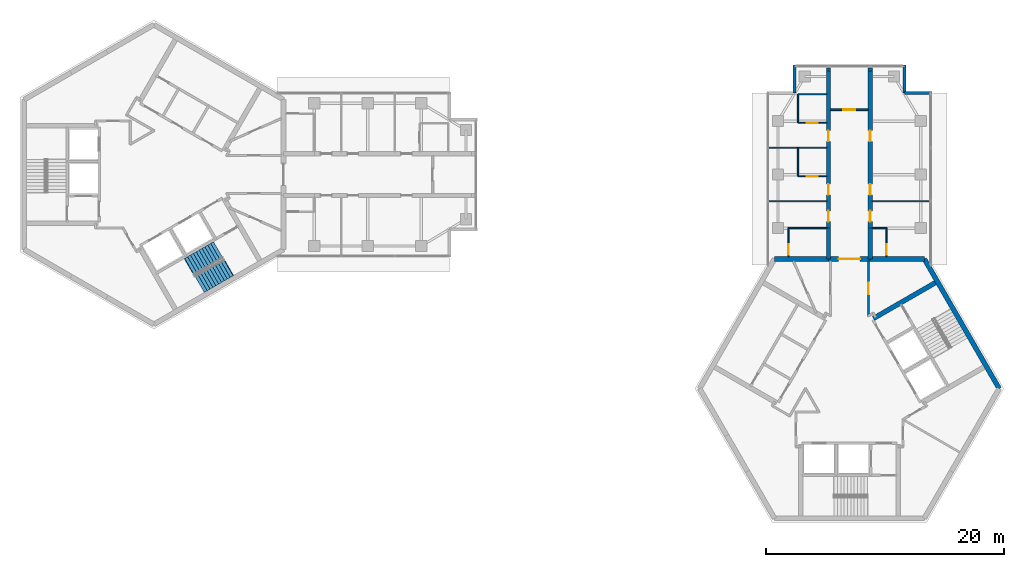
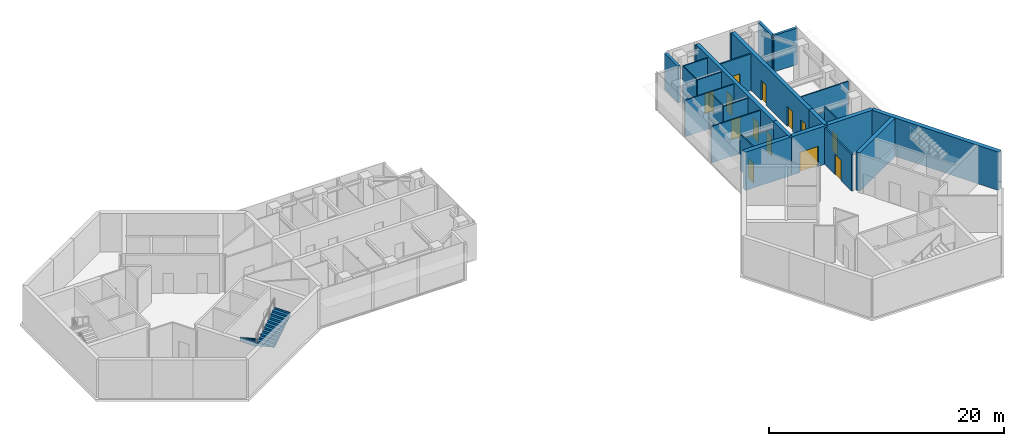
# One storey, part 9 of 11: 28 walls, 13 doors, 2 stair flights, 13 openings, 1 element without a shape of its own.
"""IFC4 building model written with IfcOpenShell, lengths in metres."""

from ifc_helpers import new_model, si_unit, direction, frame, frame_2d, origin, place, context, subcontext, project, spatial, polyline, rectangle, outline, extrude, material, layer, layer_set, type_object, element, fill, aggregate, save


model = new_model("IFC4")

# Units and contexts
model_context = context("Model", 3, precision=1e-05, world=origin(), true_north=direction((0.0, 1.0)))
body_context = subcontext(model_context, "Body", "Model", "MODEL_VIEW")
ifc_project = project(units=[si_unit("LENGTHUNIT", "METRE"), si_unit("AREAUNIT", "SQUARE_METRE"), si_unit("VOLUMEUNIT", "CUBIC_METRE"), si_unit("PLANEANGLEUNIT", "RADIAN"), si_unit("MASSUNIT", "GRAM", prefix="KILO")], contexts=[model_context])

# Site, building, storey
site_placement = place(None, origin())
site = spatial("IfcSite", under=ifc_project, at=site_placement, CompositionType="ELEMENT")
building_placement = place(site_placement, origin())
building = spatial("IfcBuilding", under=site, at=building_placement, Name="Upepo Twin Towers", CompositionType="ELEMENT")
storey_placement = place(building_placement, frame((0.0, 0.0, 271.5)))
storey = spatial("IfcBuildingStorey", under=building, at=storey_placement, Name="L66", CompositionType="ELEMENT", Elevation=271.5)

# Walls
ifc_material_1 = material(Name="Dense concrete blockwork", Category="masonry")
ifc_layer_1 = layer(ifc_material_1, 0.35009765625)
ifc_layer_set_1 = layer_set([ifc_layer_1], Name="Buttress closer 350, blockwork with fire-stopping to the curtain wall")
wall_type_1 = type_object("IfcWallType", Name="Buttress closer 350, blockwork with fire-stopping to the curtain wall", PredefinedType="PARTITIONING", material=ifc_layer_set_1)
for number, where, z_axis, x_axis, name in (
    (1, (56.75, 8.699951171875, 0.0), (0.0, 0.0, 1.0), (0.0, 1.0, 0.0), "T2 L66 wing A buttress closer L"),
    (2, (60.25, 8.699951171875, 0.0), (0.0, 0.0, 1.0), (0.0, 1.0, 0.0), "T2 L66 wing A buttress closer R"),
):
    element("IfcWall", number, at=place(storey_placement, frame(where, z_axis=z_axis, x_axis=x_axis)), inside=storey, type_object=wall_type_1, Name=name, PredefinedType="PARTITIONING", context=body_context, shape_type="SweptSolid", body=[
        extrude(rectangle(XDim=0.275146484375, YDim=0.35009765625, at=frame_2d((0.1376953125, 0.0))), origin(), (0.0, 0.0, 1.0), 3.800048828125),
    ])
ifc_material_2 = material(Name="Concrete C60/75", Category="concrete")
ifc_layer_2 = layer(ifc_material_2, 0.35009765625)
ifc_layer_set_2 = layer_set([ifc_layer_2], Name="Concrete C60/75")
wall_type_2 = type_object("IfcWallType", Name="Buttress wall 350 RC", PredefinedType="SHEAR", material=ifc_layer_set_2)
wall_1_placement = place(storey_placement, frame((56.75, -7.091552734375, 0.0), z_axis=(0.0, 0.0, 1.0), x_axis=(0.0, 1.0, 0.0)))
element("IfcWall", 3, at=wall_1_placement, inside=storey, type_object=wall_type_2, Name="T2 wing A buttress wall L", PredefinedType="SHEAR", context=body_context, shape_type="SweptSolid", body=[
    extrude(rectangle(XDim=2.591552734375, YDim=0.35009765625, at=frame_2d((1.2958984375, 0.0))), origin(), (0.0, 0.0, 1.0), 4.0),
])

# Wall, openings, doors
wall_2_placement = place(storey_placement, frame((56.75, -4.5, 0.0), z_axis=(0.0, 0.0, 1.0), x_axis=(0.0, 1.0, 0.0)))
wall_2 = element("IfcWall", 4, at=wall_2_placement, inside=storey, type_object=wall_type_2, Name="T2 wing A buttress wall L part 2", PredefinedType="SHEAR", context=body_context, shape_type="SweptSolid", body=[
    extrude(rectangle(XDim=13.199951171875, YDim=0.35009765625, at=frame_2d((6.60009765625, 0.0))), origin(), (0.0, 0.0, 1.0), 4.0),
])
opening_1_placement = place(wall_2_placement, frame((0.550048828125, 0.0, 0.0)))
opening_1 = element("IfcOpeningElement", 5, at=opening_1_placement, cuts=wall_2, Name="Opening D11", PredefinedType="OPENING", context=body_context, shape_type="SweptSolid", body=[
    extrude(rectangle(XDim=0.89990234375, YDim=2.10009765625, at=frame_2d((0.449951171875, 1.050048828125))), frame((0.0, 0.18505859375, 0.0), z_axis=(0.0, -1.0, 0.0), x_axis=(1.0, 0.0, 0.0)), (0.0, 0.0, 1.0), 0.3701171875),
])
opening_2_placement = place(wall_2_placement, frame((2.800048828125, 0.0, 0.0)))
opening_2 = element("IfcOpeningElement", 6, at=opening_2_placement, cuts=wall_2, Name="Opening D14", PredefinedType="OPENING", context=body_context, shape_type="SweptSolid", body=[
    extrude(rectangle(XDim=0.89990234375, YDim=2.10009765625, at=frame_2d((0.449951171875, 1.050048828125))), frame((0.0, 0.18505859375, 0.0), z_axis=(0.0, -1.0, 0.0), x_axis=(1.0, 0.0, 0.0)), (0.0, 0.0, 1.0), 0.3701171875),
])
opening_3_placement = place(wall_2_placement, frame((7.300048828125, 0.0, 0.0)))
opening_3 = element("IfcOpeningElement", 7, at=opening_3_placement, cuts=wall_2, Name="Opening D14", PredefinedType="OPENING", context=body_context, shape_type="SweptSolid", body=[
    extrude(rectangle(XDim=0.89990234375, YDim=2.10009765625, at=frame_2d((0.449951171875, 1.050048828125))), frame((0.0, 0.18505859375, 0.0), z_axis=(0.0, -1.0, 0.0), x_axis=(1.0, 0.0, 0.0)), (0.0, 0.0, 1.0), 0.3701171875),
])
ifc_material_3 = material(Name="Timber doorset", Category="wood")
door_type_1 = type_object("IfcDoorType", Name="Office door 900 FD30", OperationType="SINGLE_SWING_LEFT", PredefinedType="DOOR", material=ifc_material_3)
door_1_placement = place(opening_2_placement, origin())
door_1 = element("IfcDoor", 8, at=door_1_placement, inside=storey, type_object=door_type_1, Name="T2 L66 seminar room door", OperationType="SINGLE_SWING_LEFT", OverallHeight=2.10009765625, OverallWidth=0.89990234375, PredefinedType="DOOR", context=body_context, shape_type="SweptSolid", body=[
    extrude(rectangle(XDim=0.89990234375, YDim=2.10009765625, at=frame_2d((0.449951171875, 1.050048828125))), frame((0.0, 0.02490234375, 0.0), z_axis=(0.0, -1.0, 0.0), x_axis=(1.0, 0.0, 0.0)), (0.0, 0.0, 1.0), 0.050048828125),
])
fill(opening_2, door_1)
door_2_placement = place(opening_3_placement, origin())
door_2 = element("IfcDoor", 9, at=door_2_placement, inside=storey, type_object=door_type_1, Name="T2 L66 tutorial room door", OperationType="SINGLE_SWING_RIGHT", OverallHeight=2.10009765625, OverallWidth=0.89990234375, PredefinedType="DOOR", context=body_context, shape_type="SweptSolid", body=[
    extrude(rectangle(XDim=0.89990234375, YDim=2.10009765625, at=frame_2d((0.449951171875, 1.050048828125))), frame((0.0, 0.02490234375, 0.0), z_axis=(0.0, -1.0, 0.0), x_axis=(1.0, 0.0, 0.0)), (0.0, 0.0, 1.0), 0.050048828125),
])
fill(opening_3, door_2)
ifc_material_4 = material(Name="Timber doorset", Category="wood")
door_type_2 = type_object("IfcDoorType", Name="Toilet door 900", OperationType="SINGLE_SWING_LEFT", PredefinedType="DOOR", material=ifc_material_4)
door_3_placement = place(opening_1_placement, origin())
door_3 = element("IfcDoor", 10, at=door_3_placement, inside=storey, type_object=door_type_2, Name="T2 L66 accessible wc door", OperationType="SINGLE_SWING_LEFT", OverallHeight=2.10009765625, OverallWidth=0.89990234375, PredefinedType="DOOR", context=body_context, shape_type="SweptSolid", body=[
    extrude(rectangle(XDim=0.89990234375, YDim=2.10009765625, at=frame_2d((0.449951171875, 1.050048828125))), frame((0.0, 0.02490234375, 0.0), z_axis=(0.0, -1.0, 0.0), x_axis=(1.0, 0.0, 0.0)), (0.0, 0.0, 1.0), 0.050048828125),
])
fill(opening_1, door_3)

# Wall
wall_3_placement = place(storey_placement, frame((60.25, -7.091552734375, 0.0), z_axis=(0.0, 0.0, 1.0), x_axis=(0.0, 1.0, 0.0)))
element("IfcWall", 11, at=wall_3_placement, inside=storey, type_object=wall_type_2, Name="T2 wing A buttress wall R", PredefinedType="SHEAR", context=body_context, shape_type="SweptSolid", body=[
    extrude(rectangle(XDim=2.591552734375, YDim=0.35009765625, at=frame_2d((1.2958984375, 0.0))), origin(), (0.0, 0.0, 1.0), 4.0),
])

# Wall, openings, doors
wall_4_placement = place(storey_placement, frame((60.25, -4.5, 0.0), z_axis=(0.0, 0.0, 1.0), x_axis=(0.0, 1.0, 0.0)))
wall_4 = element("IfcWall", 12, at=wall_4_placement, inside=storey, type_object=wall_type_2, Name="T2 wing A buttress wall R part 2", PredefinedType="SHEAR", context=body_context, shape_type="SweptSolid", body=[
    extrude(rectangle(XDim=13.199951171875, YDim=0.35009765625, at=frame_2d((6.60009765625, 0.0))), origin(), (0.0, 0.0, 1.0), 4.0),
])
opening_4_placement = place(wall_4_placement, frame((0.550048828125, 0.0, 0.0)))
opening_4 = element("IfcOpeningElement", 13, at=opening_4_placement, cuts=wall_4, Name="Opening D11", PredefinedType="OPENING", context=body_context, shape_type="SweptSolid", body=[
    extrude(rectangle(XDim=0.89990234375, YDim=2.10009765625, at=frame_2d((0.449951171875, 1.050048828125))), frame((0.0, 0.18505859375, 0.0), z_axis=(0.0, -1.0, 0.0), x_axis=(1.0, 0.0, 0.0)), (0.0, 0.0, 1.0), 0.3701171875),
])
opening_5_placement = place(wall_4_placement, frame((2.800048828125, 0.0, 0.0)))
opening_5 = element("IfcOpeningElement", 14, at=opening_5_placement, cuts=wall_4, Name="Opening D14", PredefinedType="OPENING", context=body_context, shape_type="SweptSolid", body=[
    extrude(rectangle(XDim=0.89990234375, YDim=2.10009765625, at=frame_2d((0.449951171875, 1.050048828125))), frame((0.0, 0.18505859375, 0.0), z_axis=(0.0, -1.0, 0.0), x_axis=(1.0, 0.0, 0.0)), (0.0, 0.0, 1.0), 0.3701171875),
])
opening_6_placement = place(wall_4_placement, frame((7.300048828125, 0.0, 0.0)))
opening_6 = element("IfcOpeningElement", 15, at=opening_6_placement, cuts=wall_4, Name="Opening D14", PredefinedType="OPENING", context=body_context, shape_type="SweptSolid", body=[
    extrude(rectangle(XDim=0.89990234375, YDim=2.10009765625, at=frame_2d((0.449951171875, 1.050048828125))), frame((0.0, 0.18505859375, 0.0), z_axis=(0.0, -1.0, 0.0), x_axis=(1.0, 0.0, 0.0)), (0.0, 0.0, 1.0), 0.3701171875),
])
door_4_placement = place(opening_5_placement, origin())
door_4 = element("IfcDoor", 16, at=door_4_placement, inside=storey, type_object=door_type_1, Name="T2 L66 graduate seminar room door", OperationType="SINGLE_SWING_LEFT", OverallHeight=2.10009765625, OverallWidth=0.89990234375, PredefinedType="DOOR", context=body_context, shape_type="SweptSolid", body=[
    extrude(rectangle(XDim=0.89990234375, YDim=2.10009765625, at=frame_2d((0.449951171875, 1.050048828125))), frame((0.0, 0.02490234375, 0.0), z_axis=(0.0, -1.0, 0.0), x_axis=(1.0, 0.0, 0.0)), (0.0, 0.0, 1.0), 0.050048828125),
])
fill(opening_5, door_4)
door_5_placement = place(opening_6_placement, origin())
door_5 = element("IfcDoor", 17, at=door_5_placement, inside=storey, type_object=door_type_1, Name="T2 L66 graduate seminar room door", OperationType="SINGLE_SWING_RIGHT", OverallHeight=2.10009765625, OverallWidth=0.89990234375, PredefinedType="DOOR", context=body_context, shape_type="SweptSolid", body=[
    extrude(rectangle(XDim=0.89990234375, YDim=2.10009765625, at=frame_2d((0.449951171875, 1.050048828125))), frame((0.0, 0.02490234375, 0.0), z_axis=(0.0, -1.0, 0.0), x_axis=(1.0, 0.0, 0.0)), (0.0, 0.0, 1.0), 0.050048828125),
])
fill(opening_6, door_5)
door_6_placement = place(opening_4_placement, origin())
door_6 = element("IfcDoor", 18, at=door_6_placement, inside=storey, type_object=door_type_2, Name="T2 L66 toilets door", OperationType="SINGLE_SWING_LEFT", OverallHeight=2.10009765625, OverallWidth=0.89990234375, PredefinedType="DOOR", context=body_context, shape_type="SweptSolid", body=[
    extrude(rectangle(XDim=0.89990234375, YDim=2.10009765625, at=frame_2d((0.449951171875, 1.050048828125))), frame((0.0, 0.02490234375, 0.0), z_axis=(0.0, -1.0, 0.0), x_axis=(1.0, 0.0, 0.0)), (0.0, 0.0, 1.0), 0.050048828125),
])
fill(opening_4, door_6)

# Wall
ifc_material_5 = material(Name="Concrete C60/75", Category="concrete")
ifc_layer_3 = layer(ifc_material_5, 0.39990234375)
ifc_layer_set_3 = layer_set([ifc_layer_3], Name="Concrete C60/75")
wall_type_3 = type_object("IfcWallType", Name="Core wall 400 RC", PredefinedType="SHEAR", material=ifc_layer_set_3)
wall_5_placement = place(storey_placement, frame((64.7978515625, -7.091552734375, 0.0), z_axis=(0.0, 0.0, 1.0), x_axis=(-1.0, 0.0, 0.0)))
element("IfcWall", 19, at=wall_5_placement, inside=storey, type_object=wall_type_3, Name="T2 core wall 000 R", PredefinedType="SHEAR", context=body_context, shape_type="SweptSolid", body=[
    extrude(rectangle(XDim=4.5478515625, YDim=0.39990234375, at=frame_2d((2.27392578125, 0.0))), origin(), (0.0, 0.0, 1.0), 4.0),
])

# Wall, opening, door
wall_6_placement = place(storey_placement, frame((60.25, -7.091552734375, 0.0), z_axis=(0.0, 0.0, 1.0), x_axis=(-1.0, 0.0, 0.0)))
wall_6 = element("IfcWall", 20, at=wall_6_placement, inside=storey, type_object=wall_type_3, Name="T2 core wall 000", PredefinedType="SHEAR", context=body_context, shape_type="SweptSolid", body=[
    extrude(rectangle(XDim=3.5, YDim=0.39990234375, at=frame_2d((1.75, 0.0))), origin(), (0.0, 0.0, 1.0), 4.0),
])
opening_7_placement = place(wall_6_placement, frame((0.85009765625, 0.0, 0.0)))
opening_7 = element("IfcOpeningElement", 21, at=opening_7_placement, cuts=wall_6, Name="Opening D2", PredefinedType="OPENING", context=body_context, shape_type="SweptSolid", body=[
    extrude(rectangle(XDim=1.800048828125, YDim=2.10009765625, at=frame_2d((0.89990234375, 1.050048828125))), frame((0.0, 0.2099609375, 0.0), z_axis=(0.0, -1.0, 0.0), x_axis=(1.0, 0.0, 0.0)), (0.0, 0.0, 1.0), 0.419921875),
])
ifc_material_6 = material(Name="Timber doorset", Category="wood")
door_type_3 = type_object("IfcDoorType", Name="Corridor double door 1800 FD60", OperationType="DOUBLE_DOOR_DOUBLE_SWING", PredefinedType="DOOR", material=ifc_material_6)
door_7_placement = place(opening_7_placement, origin())
door_7 = element("IfcDoor", 22, at=door_7_placement, inside=storey, type_object=door_type_3, Name="T2 L66 wing A corridor door", OperationType="DOUBLE_DOOR_DOUBLE_SWING", OverallHeight=2.10009765625, OverallWidth=1.800048828125, PredefinedType="DOOR", context=body_context, shape_type="SweptSolid", body=[
    extrude(rectangle(XDim=1.800048828125, YDim=2.10009765625, at=frame_2d((0.89990234375, 1.050048828125))), frame((0.0, 0.02490234375, 0.0), z_axis=(0.0, -1.0, 0.0), x_axis=(1.0, 0.0, 0.0)), (0.0, 0.0, 1.0), 0.050048828125),
])
fill(opening_7, door_7)

# Walls
wall_7_placement = place(storey_placement, frame((56.75, -7.091552734375, 0.0), z_axis=(0.0, 0.0, 1.0), x_axis=(-1.0, 0.0, 0.0)))
element("IfcWall", 23, at=wall_7_placement, inside=storey, type_object=wall_type_3, Name="T2 core wall 000 L", PredefinedType="SHEAR", context=body_context, shape_type="SweptSolid", body=[
    extrude(rectangle(XDim=4.5478515625, YDim=0.39990234375, at=frame_2d((2.27392578125, 0.0))), origin(), (0.0, 0.0, 1.0), 4.0),
])
wall_8_placement = place(storey_placement, frame((71.095947265625, -18.0, 0.0), z_axis=(0.0, 0.0, 1.0), x_axis=(-0.500005998175, 0.866021940709, 0.0)))
element("IfcWall", 24, at=wall_8_placement, inside=storey, type_object=wall_type_3, Name="T2 core wall 300", PredefinedType="SHEAR", context=body_context, shape_type="SweptSolid", body=[
    extrude(rectangle(XDim=12.595947265625, YDim=0.39990234375, at=frame_2d((6.2978515625, 0.0))), origin(), (0.0, 0.0, 1.0), 4.0),
])
ifc_material_7 = material(Name="Blockwork with anodised aluminium cladding", Category="masonry")
ifc_layer_4 = layer(ifc_material_7, 0.25)
ifc_layer_set_4 = layer_set([ifc_layer_4], Name="Notch cladding wall 250, pale metal")
wall_type_4 = type_object("IfcWallType", Name="Notch cladding wall 250, pale metal", PredefinedType="STANDARD", material=ifc_layer_set_4)
for number, where, z_axis, x_axis, name in (
    (25, (53.875, 6.875, 0.0), (0.0, 0.0, 1.0), (0.0, 1.0, 0.0), "T2 L66 wing A notch wall L2"),
    (26, (65.449951171875, 6.875, 0.0), (0.0, 0.0, 1.0), (-1.0, 0.0, 0.0), "T2 L66 wing A notch wall R1"),
    (27, (63.125, 6.875, 0.0), (0.0, 0.0, 1.0), (0.0, 1.0, 0.0), "T2 L66 wing A notch wall R2"),
):
    element("IfcWall", number, at=place(storey_placement, frame(where, z_axis=z_axis, x_axis=x_axis)), inside=storey, type_object=wall_type_4, Name=name, PredefinedType="STANDARD", context=body_context, shape_type="SweptSolid", body=[
        extrude(rectangle(XDim=2.324951171875, YDim=0.25, at=frame_2d((1.16259765625, 0.0))), origin(), (0.0, 0.0, 1.0), 3.800048828125),
    ])
ifc_material_8 = material(Name="Gypsum board on steel studs", Category="steel")
ifc_layer_5 = layer(ifc_material_8, 0.10009765625)
ifc_layer_set_5 = layer_set([ifc_layer_5], Name="Office partition 100 stud")
wall_type_5 = type_object("IfcWallType", Name="Office partition 100 stud", PredefinedType="PARTITIONING", material=ifc_layer_set_5)
for number, where, z_axis, x_axis, name in (
    (28, (56.574951171875, -2.25, 0.0), (0.0, 0.0, 1.0), (-1.0, 0.0, 0.0), "T2 partition AL at 15.75"),
    (29, (56.574951171875, 2.25, 0.0), (0.0, 0.0, 1.0), (-1.0, 0.0, 0.0), "T2 partition AL at 20.25"),
):
    element("IfcWall", number, at=place(storey_placement, frame(where, z_axis=z_axis, x_axis=x_axis)), inside=storey, type_object=wall_type_5, Name=name, PredefinedType="PARTITIONING", context=body_context, shape_type="SweptSolid", body=[
        extrude(rectangle(XDim=4.824951171875, YDim=0.10009765625, at=frame_2d((2.41259765625, 0.0))), origin(), (0.0, 0.0, 1.0), 3.800048828125),
    ])
wall_9_placement = place(storey_placement, frame((54.175048828125, -0.14990234375, 0.0), z_axis=(0.0, 0.0, 1.0), x_axis=(0.0, 1.0, 0.0)))
element("IfcWall", 30, at=wall_9_placement, inside=storey, type_object=wall_type_5, Name="T2 inner room partition AL at 17.85", PredefinedType="PARTITIONING", context=body_context, shape_type="SweptSolid", body=[
    extrude(rectangle(XDim=2.39990234375, YDim=0.10009765625, at=frame_2d((1.199951171875, 0.0))), origin(), (0.0, 0.0, 1.0), 3.800048828125),
])

# Wall, opening, door
wall_10_placement = place(storey_placement, frame((56.574951171875, -0.14990234375, 0.0), z_axis=(0.0, 0.0, 1.0), x_axis=(-1.0, 0.0, 0.0)))
wall_10 = element("IfcWall", 31, at=wall_10_placement, inside=storey, type_object=wall_type_5, Name="T2 inner room partition AL end at 17.85", PredefinedType="PARTITIONING", context=body_context, shape_type="SweptSolid", body=[
    extrude(rectangle(XDim=2.39990234375, YDim=0.10009765625, at=frame_2d((1.199951171875, 0.0))), origin(), (0.0, 0.0, 1.0), 3.800048828125),
])
opening_8_placement = place(wall_10_placement, frame((0.75, 0.0, 0.0)))
opening_8 = element("IfcOpeningElement", 32, at=opening_8_placement, cuts=wall_10, Name="Opening D14", PredefinedType="OPENING", context=body_context, shape_type="SweptSolid", body=[
    extrude(rectangle(XDim=0.89990234375, YDim=2.10009765625, at=frame_2d((0.449951171875, 1.050048828125))), frame((0.0, 0.06005859375, 0.0), z_axis=(0.0, -1.0, 0.0), x_axis=(1.0, 0.0, 0.0)), (0.0, 0.0, 1.0), 0.1201171875),
])
door_8_placement = place(opening_8_placement, origin())
door_8 = element("IfcDoor", 33, at=door_8_placement, inside=storey, type_object=door_type_1, Name="T2 L66 inner room door", OperationType="SINGLE_SWING_LEFT", OverallHeight=2.10009765625, OverallWidth=0.89990234375, PredefinedType="DOOR", context=body_context, shape_type="SweptSolid", body=[
    extrude(rectangle(XDim=0.89990234375, YDim=2.10009765625, at=frame_2d((0.449951171875, 1.050048828125))), frame((0.0, 0.02490234375, 0.0), z_axis=(0.0, -1.0, 0.0), x_axis=(1.0, 0.0, 0.0)), (0.0, 0.0, 1.0), 0.050048828125),
])
fill(opening_8, door_8)

# Wall
wall_11_placement = place(storey_placement, frame((54.175048828125, 4.35009765625, 0.0), z_axis=(0.0, 0.0, 1.0), x_axis=(0.0, 1.0, 0.0)))
element("IfcWall", 34, at=wall_11_placement, inside=storey, type_object=wall_type_5, Name="T2 inner room partition AL at 22.35", PredefinedType="PARTITIONING", context=body_context, shape_type="SweptSolid", body=[
    extrude(rectangle(XDim=2.39990234375, YDim=0.10009765625, at=frame_2d((1.199951171875, 0.0))), origin(), (0.0, 0.0, 1.0), 3.800048828125),
])

# Wall, opening, door
wall_12_placement = place(storey_placement, frame((56.574951171875, 4.35009765625, 0.0), z_axis=(0.0, 0.0, 1.0), x_axis=(-1.0, 0.0, 0.0)))
wall_12 = element("IfcWall", 35, at=wall_12_placement, inside=storey, type_object=wall_type_5, Name="T2 inner room partition AL end at 22.35", PredefinedType="PARTITIONING", context=body_context, shape_type="SweptSolid", body=[
    extrude(rectangle(XDim=2.39990234375, YDim=0.10009765625, at=frame_2d((1.199951171875, 0.0))), origin(), (0.0, 0.0, 1.0), 3.800048828125),
])
opening_9_placement = place(wall_12_placement, frame((0.75, 0.0, 0.0)))
opening_9 = element("IfcOpeningElement", 36, at=opening_9_placement, cuts=wall_12, Name="Opening D14", PredefinedType="OPENING", context=body_context, shape_type="SweptSolid", body=[
    extrude(rectangle(XDim=0.89990234375, YDim=2.10009765625, at=frame_2d((0.449951171875, 1.050048828125))), frame((0.0, 0.06005859375, 0.0), z_axis=(0.0, -1.0, 0.0), x_axis=(1.0, 0.0, 0.0)), (0.0, 0.0, 1.0), 0.1201171875),
])
door_9_placement = place(opening_9_placement, origin())
door_9 = element("IfcDoor", 37, at=door_9_placement, inside=storey, type_object=door_type_1, Name="T2 L66 inner room door", OperationType="SINGLE_SWING_LEFT", OverallHeight=2.10009765625, OverallWidth=0.89990234375, PredefinedType="DOOR", context=body_context, shape_type="SweptSolid", body=[
    extrude(rectangle(XDim=0.89990234375, YDim=2.10009765625, at=frame_2d((0.449951171875, 1.050048828125))), frame((0.0, 0.02490234375, 0.0), z_axis=(0.0, -1.0, 0.0), x_axis=(1.0, 0.0, 0.0)), (0.0, 0.0, 1.0), 0.050048828125),
])
fill(opening_9, door_9)

# Wall
wall_13_placement = place(storey_placement, frame((56.574951171875, 6.75, 0.0), z_axis=(0.0, 0.0, 1.0), x_axis=(-1.0, 0.0, 0.0)))
element("IfcWall", 38, at=wall_13_placement, inside=storey, type_object=wall_type_5, Name="T2 inner room partition AL end at 24.75", PredefinedType="PARTITIONING", context=body_context, shape_type="SweptSolid", body=[
    extrude(rectangle(XDim=2.39990234375, YDim=0.10009765625, at=frame_2d((1.199951171875, 0.0))), origin(), (0.0, 0.0, 1.0), 3.800048828125),
])

# Wall, opening, door
wall_14_placement = place(storey_placement, frame((53.375, -6.89208984375, 0.0), z_axis=(0.0, 0.0, 1.0), x_axis=(0.0, 1.0, 0.0)))
wall_14 = element("IfcWall", 39, at=wall_14_placement, inside=storey, type_object=wall_type_5, Name="T2 WC bay partition AL at 11.11", PredefinedType="PARTITIONING", context=body_context, shape_type="SweptSolid", body=[
    extrude(rectangle(XDim=2.400146484375, YDim=0.10009765625, at=frame_2d((1.2001953125, 0.0))), origin(), (0.0, 0.0, 1.0), 3.800048828125),
])
opening_10_placement = place(wall_14_placement, frame((0.14990234375, 0.0, 0.0)))
opening_10 = element("IfcOpeningElement", 40, at=opening_10_placement, cuts=wall_14, Name="Opening D14", PredefinedType="OPENING", context=body_context, shape_type="SweptSolid", body=[
    extrude(rectangle(XDim=0.89990234375, YDim=2.10009765625, at=frame_2d((0.449951171875, 1.050048828125))), frame((0.0, 0.06005859375, 0.0), z_axis=(0.0, -1.0, 0.0), x_axis=(1.0, 0.0, 0.0)), (0.0, 0.0, 1.0), 0.1201171875),
])
door_10_placement = place(opening_10_placement, origin())
door_10 = element("IfcDoor", 41, at=door_10_placement, inside=storey, type_object=door_type_1, Name="T2 L66 WC bay inner room door", OperationType="SINGLE_SWING_LEFT", OverallHeight=2.10009765625, OverallWidth=0.89990234375, PredefinedType="DOOR", context=body_context, shape_type="SweptSolid", body=[
    extrude(rectangle(XDim=0.89990234375, YDim=2.10009765625, at=frame_2d((0.449951171875, 1.050048828125))), frame((0.0, 0.02490234375, 0.0), z_axis=(0.0, -1.0, 0.0), x_axis=(1.0, 0.0, 0.0)), (0.0, 0.0, 1.0), 0.050048828125),
])
fill(opening_10, door_10)

# Walls
wall_15_placement = place(storey_placement, frame((56.574951171875, -4.491943359375, 0.0), z_axis=(0.0, 0.0, 1.0), x_axis=(-1.0, 0.0, 0.0)))
element("IfcWall", 42, at=wall_15_placement, inside=storey, type_object=wall_type_5, Name="T2 WC bay partition AL end at 13.51", PredefinedType="PARTITIONING", context=body_context, shape_type="SweptSolid", body=[
    extrude(rectangle(XDim=3.199951171875, YDim=0.10009765625, at=frame_2d((1.60009765625, 0.0))), origin(), (0.0, 0.0, 1.0), 3.266845703125),
])
wall_16_placement = place(storey_placement, frame((60.425048828125, -2.25, 0.0), z_axis=(0.0, 0.0, 1.0), x_axis=(1.0, 0.0, 0.0)))
element("IfcWall", 43, at=wall_16_placement, inside=storey, type_object=wall_type_5, Name="T2 partition AR at 15.75", PredefinedType="PARTITIONING", context=body_context, shape_type="SweptSolid", body=[
    extrude(rectangle(XDim=4.824951171875, YDim=0.10009765625, at=frame_2d((2.41259765625, 0.0))), origin(), (0.0, 0.0, 1.0), 3.800048828125),
])

# Wall, opening, door
wall_17_placement = place(storey_placement, frame((61.625, -6.89208984375, 0.0), z_axis=(0.0, 0.0, 1.0), x_axis=(0.0, 1.0, 0.0)))
wall_17 = element("IfcWall", 44, at=wall_17_placement, inside=storey, type_object=wall_type_5, Name="T2 WC bay partition AR at 11.11", PredefinedType="PARTITIONING", context=body_context, shape_type="SweptSolid", body=[
    extrude(rectangle(XDim=2.400146484375, YDim=0.10009765625, at=frame_2d((1.2001953125, 0.0))), origin(), (0.0, 0.0, 1.0), 3.800048828125),
])
opening_11_placement = place(wall_17_placement, frame((0.14990234375, 0.0, 0.0)))
opening_11 = element("IfcOpeningElement", 45, at=opening_11_placement, cuts=wall_17, Name="Opening D14", PredefinedType="OPENING", context=body_context, shape_type="SweptSolid", body=[
    extrude(rectangle(XDim=0.89990234375, YDim=2.10009765625, at=frame_2d((0.449951171875, 1.050048828125))), frame((0.0, 0.06005859375, 0.0), z_axis=(0.0, -1.0, 0.0), x_axis=(1.0, 0.0, 0.0)), (0.0, 0.0, 1.0), 0.1201171875),
])
door_11_placement = place(opening_11_placement, origin())
door_11 = element("IfcDoor", 46, at=door_11_placement, inside=storey, type_object=door_type_1, Name="T2 L66 WC bay inner room door", OperationType="SINGLE_SWING_LEFT", OverallHeight=2.10009765625, OverallWidth=0.89990234375, PredefinedType="DOOR", context=body_context, shape_type="SweptSolid", body=[
    extrude(rectangle(XDim=0.89990234375, YDim=2.10009765625, at=frame_2d((0.449951171875, 1.050048828125))), frame((0.0, 0.02490234375, 0.0), z_axis=(0.0, -1.0, 0.0), x_axis=(1.0, 0.0, 0.0)), (0.0, 0.0, 1.0), 0.050048828125),
])
fill(opening_11, door_11)

# Walls
wall_18_placement = place(storey_placement, frame((60.425048828125, -4.491943359375, 0.0), z_axis=(0.0, 0.0, 1.0), x_axis=(1.0, 0.0, 0.0)))
element("IfcWall", 47, at=wall_18_placement, inside=storey, type_object=wall_type_5, Name="T2 WC bay partition AR end at 13.51", PredefinedType="PARTITIONING", context=body_context, shape_type="SweptSolid", body=[
    extrude(rectangle(XDim=1.199951171875, YDim=0.10009765625, at=frame_2d((0.60009765625, 0.0))), origin(), (0.0, 0.0, 1.0), 3.266845703125),
])
ifc_material_9 = material(Name="Concrete C40/50", Category="concrete")
ifc_layer_6 = layer(ifc_material_9, 0.39990234375)
ifc_layer_set_6 = layer_set([ifc_layer_6], Name="Concrete C40/50")
wall_type_6 = type_object("IfcWallType", Name="Shaft wall 400 RC", PredefinedType="SHEAR", material=ifc_layer_set_6)
wall_19_placement = place(storey_placement, frame((60.520263671875, -12.099365234375, 0.0), z_axis=(0.0, 0.0, 1.0), x_axis=(0.866026570101, 0.499997979876, 0.0)))
element("IfcWall", 48, at=wall_19_placement, inside=storey, type_object=wall_type_6, Name="T2 core W300 side wall N", PredefinedType="SHEAR", context=body_context, shape_type="SweptSolid", body=[
    extrude(rectangle(XDim=6.00830078125, YDim=0.39990234375, at=frame_2d((3.004150390625, 0.0))), origin(), (0.0, 0.0, 1.0), 4.0),
])

# Wall, opening, door
ifc_material_10 = material(Name="Gypsum board on steel studs", Category="steel")
ifc_layer_7 = layer(ifc_material_10, 0.14990234375)
ifc_layer_set_7 = layer_set([ifc_layer_7], Name="Teaching partition 150 acoustic")
wall_type_7 = type_object("IfcWallType", Name="Teaching partition 150 acoustic", PredefinedType="PARTITIONING", material=ifc_layer_set_7)
wall_20_placement = place(storey_placement, frame((60.10009765625, -7.28173828125, 0.0), z_axis=(0.0, 0.0, 1.0), x_axis=(0.0, -1.0, 0.0)))
wall_20 = element("IfcWall", 49, at=wall_20_placement, inside=storey, type_object=wall_type_7, Name="T2 core room partition 12", PredefinedType="PARTITIONING", context=body_context, shape_type="SweptSolid", body=[
    extrude(rectangle(XDim=4.618408203125, YDim=0.14990234375, at=frame_2d((2.30908203125, 0.0))), origin(), (0.0, 0.0, 1.0), 3.800048828125),
])
opening_12_placement = place(wall_20_placement, frame((1.799072265625, 0.0, 0.0)))
opening_12 = element("IfcOpeningElement", 50, at=opening_12_placement, cuts=wall_20, Name="Opening D1", PredefinedType="OPENING", context=body_context, shape_type="SweptSolid", body=[
    extrude(rectangle(XDim=1.0, YDim=2.10009765625, at=frame_2d((0.5, 1.050048828125))), frame((0.0, 0.0849609375, 0.0), z_axis=(0.0, -1.0, 0.0), x_axis=(1.0, 0.0, 0.0)), (0.0, 0.0, 1.0), 0.169921875),
])
ifc_material_11 = material(Name="Timber doorset", Category="wood")
door_type_4 = type_object("IfcDoorType", Name="Room door 1000 FD30", OperationType="SINGLE_SWING_LEFT", PredefinedType="DOOR", material=ifc_material_11)
door_12_placement = place(opening_12_placement, origin())
door_12 = element("IfcDoor", 51, at=door_12_placement, inside=storey, type_object=door_type_4, Name="T2 L66 core room door K4", OperationType="SINGLE_SWING_LEFT", OverallHeight=2.10009765625, OverallWidth=1.0, PredefinedType="DOOR", context=body_context, shape_type="SweptSolid", body=[
    extrude(rectangle(XDim=1.0, YDim=2.10009765625, at=frame_2d((0.5, 1.050048828125))), frame((0.0, 0.02490234375, 0.0), z_axis=(0.0, -1.0, 0.0), x_axis=(1.0, 0.0, 0.0)), (0.0, 0.0, 1.0), 0.050048828125),
])
fill(opening_12, door_12)

wall_21_placement = place(storey_placement, frame((60.074951171875, 5.449951171875, 0.0), z_axis=(0.0, 0.0, 1.0), x_axis=(-1.0, 0.0, 0.0)))
wall_21 = element("IfcWall", 52, at=wall_21_placement, inside=storey, type_object=wall_type_7, Name="T2 corridor end partition A at 23.45", PredefinedType="PARTITIONING", context=body_context, shape_type="SweptSolid", body=[
    extrude(rectangle(XDim=3.14990234375, YDim=0.14990234375, at=frame_2d((1.574951171875, 0.0))), origin(), (0.0, 0.0, 1.0), 3.800048828125),
])
opening_13_placement = place(wall_21_placement, frame((1.074951171875, 0.0, 0.0)))
opening_13 = element("IfcOpeningElement", 53, at=opening_13_placement, cuts=wall_21, Name="Opening D1", PredefinedType="OPENING", context=body_context, shape_type="SweptSolid", body=[
    extrude(rectangle(XDim=1.0, YDim=2.10009765625, at=frame_2d((0.5, 1.050048828125))), frame((0.0, 0.0849609375, 0.0), z_axis=(0.0, -1.0, 0.0), x_axis=(1.0, 0.0, 0.0)), (0.0, 0.0, 1.0), 0.169921875),
])
door_13_placement = place(opening_13_placement, origin())
door_13 = element("IfcDoor", 54, at=door_13_placement, inside=storey, type_object=door_type_4, Name="T2 L66 breakout study room door", OperationType="SINGLE_SWING_LEFT", OverallHeight=2.10009765625, OverallWidth=1.0, PredefinedType="DOOR", context=body_context, shape_type="SweptSolid", body=[
    extrude(rectangle(XDim=1.0, YDim=2.10009765625, at=frame_2d((0.5, 1.050048828125))), frame((0.0, 0.02490234375, 0.0), z_axis=(0.0, -1.0, 0.0), x_axis=(1.0, 0.0, 0.0)), (0.0, 0.0, 1.0), 0.050048828125),
])
fill(opening_13, door_13)

# Stair, stair flights
ifc_material_12 = material(Name="Concrete C40/50", Category="concrete")
stair_type = type_object("IfcStairType", Name="Core stair, two flights", PredefinedType="HALF_TURN_STAIR", material=ifc_material_12)
stair_placement = place(storey_placement, origin())
stair = element("IfcStair", 55, at=stair_placement, inside=storey, type_object=stair_type, Name="T1 stair S2 L66", PredefinedType="HALF_TURN_STAIR")
ifc_material_13 = material(Name="Concrete C40/50", Category="concrete")
stair_flight_type = type_object("IfcStairFlightType", Name="Stair flight 1600 RC", PredefinedType="STRAIGHT", material=ifc_material_13)
stair_flight_1_placement = place(storey_placement, frame((5.416259765625, -6.34130859375, 0.0), z_axis=(0.0, 0.0, 1.0), x_axis=(-0.866025403784, -0.5, 0.0)))
stair_flight_1 = element("IfcStairFlight", 56, at=stair_flight_1_placement, type_object=stair_flight_type, Name="Stair S2 flight 1", NumberOfRisers=11, NumberOfTreads=10, PredefinedType="STRAIGHT", RiserHeight=0.181818182, TreadLength=0.28, context=body_context, shape_type="SweptSolid", body=[
    extrude(outline(polyline([(0.0, 0.0), (0.0, 0.181884765625), (0.280029296875, 0.181884765625), (0.280029296875, 0.363525390625), (0.56005859375, 0.363525390625), (0.56005859375, 0.54541015625), (0.840087890625, 0.54541015625), (0.840087890625, 0.727294921875), (1.1201171875, 0.727294921875), (1.1201171875, 0.9091796875), (1.39990234375, 0.9091796875), (1.39990234375, 1.0908203125), (1.679931640625, 1.0908203125), (1.679931640625, 1.272705078125), (1.9599609375, 1.272705078125), (1.9599609375, 1.45458984375), (2.239990234375, 1.45458984375), (2.239990234375, 1.636474609375), (2.52001953125, 1.636474609375), (2.52001953125, 1.818115234375), (2.800048828125, 1.818115234375), (2.800048828125, 2.0), (2.85009765625, 2.0), (2.85009765625, 1.639404296875), (0.3251953125, 0.0), (0.0, 0.0)])), frame((0.0, 0.800048828125, 0.0), z_axis=(0.0, -1.0, 0.0), x_axis=(1.0, 0.0, 0.0)), (0.0, 0.0, 1.0), 1.60009765625),
])
stair_flight_2_placement = place(storey_placement, frame((3.845703125, -9.220947265625, 2.0), z_axis=(0.0, 0.0, 1.0), x_axis=(0.866025403784, 0.5, 0.0)))
stair_flight_2 = element("IfcStairFlight", 57, at=stair_flight_2_placement, type_object=stair_flight_type, Name="Stair S2 flight 2", NumberOfRisers=11, NumberOfTreads=10, PredefinedType="STRAIGHT", RiserHeight=0.181818182, TreadLength=0.28, context=body_context, shape_type="SweptSolid", body=[
    extrude(outline(polyline([(0.0, 0.0), (0.0, 0.181884765625), (0.280029296875, 0.181884765625), (0.280029296875, 0.363525390625), (0.56005859375, 0.363525390625), (0.56005859375, 0.54541015625), (0.840087890625, 0.54541015625), (0.840087890625, 0.727294921875), (1.1201171875, 0.727294921875), (1.1201171875, 0.9091796875), (1.39990234375, 0.9091796875), (1.39990234375, 1.0908203125), (1.679931640625, 1.0908203125), (1.679931640625, 1.272705078125), (1.9599609375, 1.272705078125), (1.9599609375, 1.45458984375), (2.239990234375, 1.45458984375), (2.239990234375, 1.636474609375), (2.52001953125, 1.636474609375), (2.52001953125, 1.818115234375), (2.800048828125, 1.818115234375), (2.800048828125, 2.0), (2.85009765625, 2.0), (2.85009765625, 1.639404296875), (0.3251953125, 0.0), (0.0, 0.0)])), frame((0.0, 0.800048828125, 0.0), z_axis=(0.0, -1.0, 0.0), x_axis=(1.0, 0.0, 0.0)), (0.0, 0.0, 1.0), 1.60009765625),
])
aggregate(stair, [stair_flight_1, stair_flight_2])

save(model, "model.ifc")
